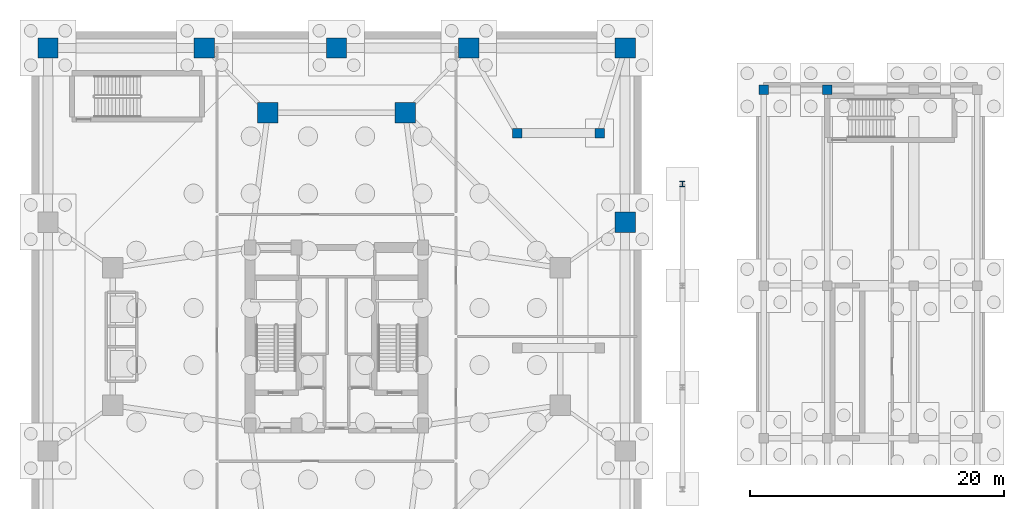
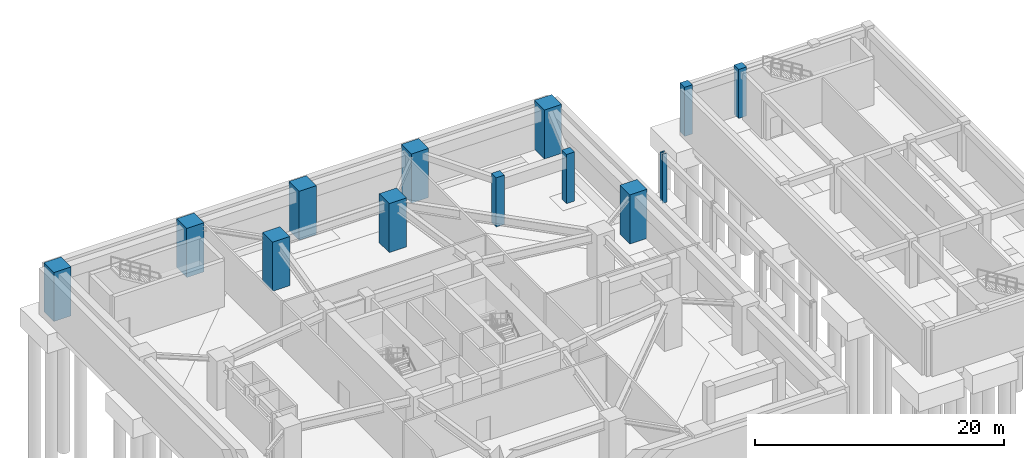
# One storey, part 4 of 11: 13 columns.
"""IFC4 building model written with IfcOpenShell, lengths in metres."""

from ifc_helpers import new_model, si_unit, direction, frame, origin, origin_2d, place, context, subcontext, project, spatial, rectangle, i_section, extrude, material, material_profile, profile_set, type_object, element, save


model = new_model("IFC4")

# Units and contexts
model_context = context("Model", 3, precision=1e-05, world=origin(), true_north=direction((0.0, 1.0)))
body_context = subcontext(model_context, "Body", "Model", "MODEL_VIEW")
ifc_project = project(units=[si_unit("LENGTHUNIT", "METRE"), si_unit("AREAUNIT", "SQUARE_METRE"), si_unit("VOLUMEUNIT", "CUBIC_METRE"), si_unit("PLANEANGLEUNIT", "RADIAN"), si_unit("MASSUNIT", "GRAM", prefix="KILO")], contexts=[model_context])

# Site, building, storey
site_placement = place(None, origin())
site = spatial("IfcSite", under=ifc_project, at=site_placement, CompositionType="ELEMENT")
building_placement = place(site_placement, origin())
building = spatial("IfcBuilding", under=site, at=building_placement, Name="Veraguas Prism Commons", CompositionType="ELEMENT")
storey_placement = place(building_placement, frame((0.0, 0.0, -10.0)))
storey = spatial("IfcBuildingStorey", under=building, at=storey_placement, Name="B2", CompositionType="ELEMENT", Elevation=-10.0)

# Columns
ifc_material_1 = material(Name="Concrete C50/60", Category="concrete")
ifc_material_profile_1 = material_profile(ifc_material_1, rectangle(XDim=0.75, YDim=0.75, at=origin_2d()), Name="RC750X750")
ifc_profile_set_1 = profile_set([ifc_material_profile_1], Name="Concrete C50/60")
column_type_1 = type_object("IfcColumnType", Name="Column Clinic RC 750x750", PredefinedType="COLUMN", material=ifc_profile_set_1)
for number, where, z_axis, x_axis, name in (
    (1, (38.199951171875, 40.0, 0.0), (0.0, 0.0, 1.0), (1.0, 0.0, 0.0), "Vehicle Ramp Support Column B2-RMP01"),
    (2, (44.699951171875, 40.0, 0.0), (0.0, 0.0, 1.0), (1.0, 0.0, 0.0), "Vehicle Ramp Support Column B2-RMP02"),
    (3, (57.60009765625, 43.39990234375, 0.0), (0.0, 0.0, 1.0), (1.0, 0.0, 0.0), "Health Centre Column B2-HC04"),
    (4, (62.60009765625, 43.39990234375, 0.0), (0.0, 0.0, 1.0), (1.0, 0.0, 0.0), "Health Centre Column B2-HC08"),
):
    element("IfcColumn", number, at=place(storey_placement, frame(where, z_axis=z_axis, x_axis=x_axis)), inside=storey, type_object=column_type_1, Name=name, PredefinedType="COLUMN", context=body_context, shape_type="SweptSolid", body=[
        extrude(rectangle(XDim=0.75, YDim=0.75, at=origin_2d()), origin(), (0.0, 0.0, 1.0), 4.800048828125),
    ])
ifc_material_2 = material(Name="Steel ASTM A992 Grade 50", Category="steel")
ifc_material_profile_2 = material_profile(ifc_material_2, i_section(OverallWidth=0.404052734375, OverallDepth=0.406982421875, WebThickness=0.025146484375, FlangeThickness=0.040283203125, at=origin_2d()), Name="W360X347")
ifc_profile_set_2 = profile_set([ifc_material_profile_2], Name="Steel ASTM A992 Grade 50")
column_type_2 = type_object("IfcColumnType", Name="Column Crown Portal W360x347", PredefinedType="COLUMN", material=ifc_profile_set_2)
column_placement = place(storey_placement, frame((51.199951171875, 36.0, 0.0), z_axis=(0.0, 0.0, 1.0), x_axis=(1.0, 0.0, 0.0)))
element("IfcColumn", 5, at=column_placement, inside=storey, type_object=column_type_2, Name="Plaza Canopy Column B2-CN04", PredefinedType="COLUMN", context=body_context, shape_type="SweptSolid", body=[
    extrude(i_section(OverallWidth=0.404052734375, OverallDepth=0.406982421875, WebThickness=0.025146484375, FlangeThickness=0.040283203125, at=origin_2d()), origin(), (0.0, 0.0, 1.0), 4.800048828125),
])
ifc_material_3 = material(Name="Concrete C60/75", Category="concrete")
ifc_material_profile_3 = material_profile(ifc_material_3, rectangle(XDim=1.60009765625, YDim=1.60009765625, at=origin_2d()), Name="RC1600X1600")
ifc_profile_set_3 = profile_set([ifc_material_profile_3], Name="Concrete C60/75")
column_type_3 = type_object("IfcColumnType", Name="Column Mega RC 1600x1600", PredefinedType="COLUMN", material=ifc_profile_set_3)
for number, where, z_axis, x_axis, name in (
    (6, (46.699951171875, 33.0, 0.0), (0.0, 0.0, 1.0), (1.0, 0.0, 0.0), "Podium Mega Column B2-PD09"),
    (7, (1.300048828125, 46.699951171875, 0.0), (0.0, 0.0, 1.0), (1.0, 0.0, 0.0), "Podium Mega Column B2-PD10"),
    (8, (13.60009765625, 46.699951171875, 0.0), (0.0, 0.0, 1.0), (1.0, 0.0, 0.0), "Podium Mega Column B2-PD11"),
    (9, (24.0, 46.699951171875, 0.0), (0.0, 0.0, 1.0), (1.0, 0.0, 0.0), "Podium Mega Column B2-PD12"),
    (10, (34.39990234375, 46.699951171875, 0.0), (0.0, 0.0, 1.0), (1.0, 0.0, 0.0), "Podium Mega Column B2-PD13"),
    (11, (46.699951171875, 46.699951171875, 0.0), (0.0, 0.0, 1.0), (1.0, 0.0, 0.0), "Podium Mega Column B2-PD14"),
    (12, (29.39990234375, 41.60009765625, 0.0), (0.0, 0.0, 1.0), (1.0, 0.0, 0.0), "Tower Mega Column B2-TM03"),
    (13, (18.60009765625, 41.60009765625, 0.0), (0.0, 0.0, 1.0), (1.0, 0.0, 0.0), "Tower Mega Column B2-TM04"),
):
    element("IfcColumn", number, at=place(storey_placement, frame(where, z_axis=z_axis, x_axis=x_axis)), inside=storey, type_object=column_type_3, Name=name, PredefinedType="COLUMN", context=body_context, shape_type="SweptSolid", body=[
        extrude(rectangle(XDim=1.60009765625, YDim=1.60009765625, at=origin_2d()), origin(), (0.0, 0.0, 1.0), 4.800048828125),
    ])

save(model, "model.ifc")
